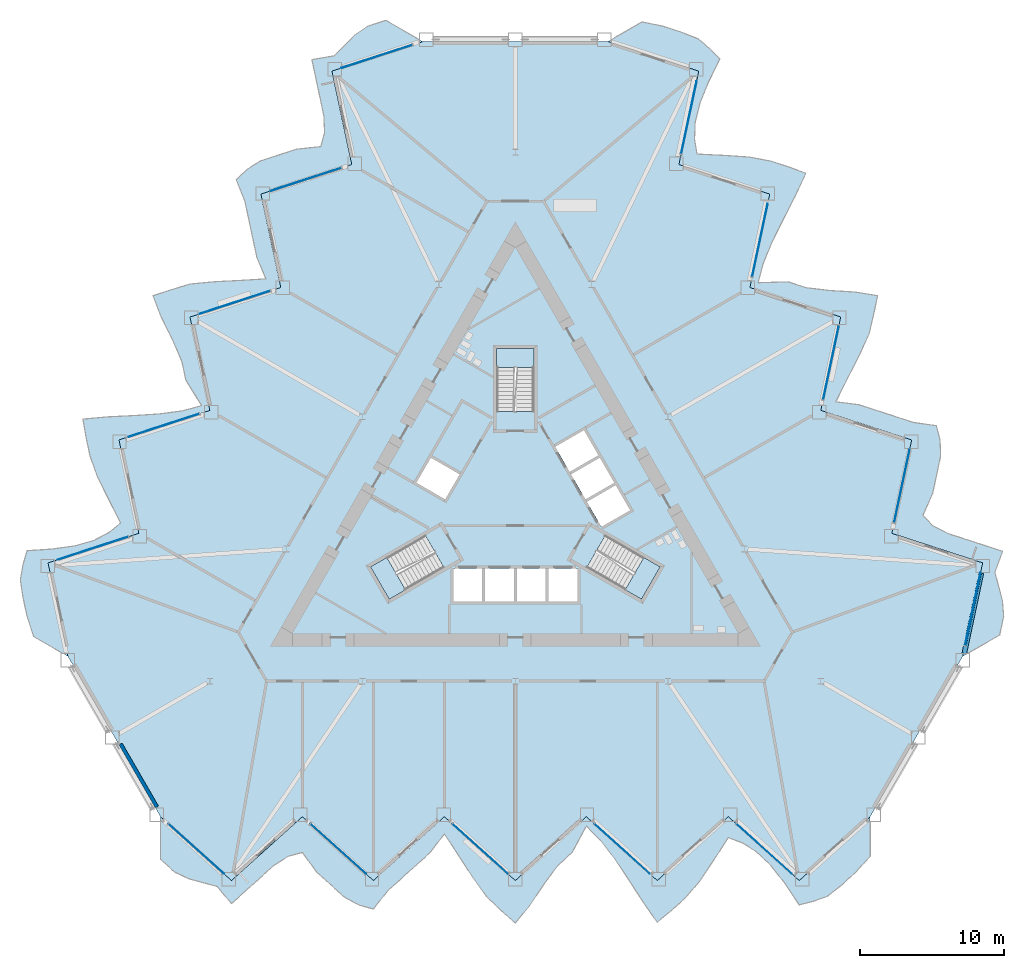
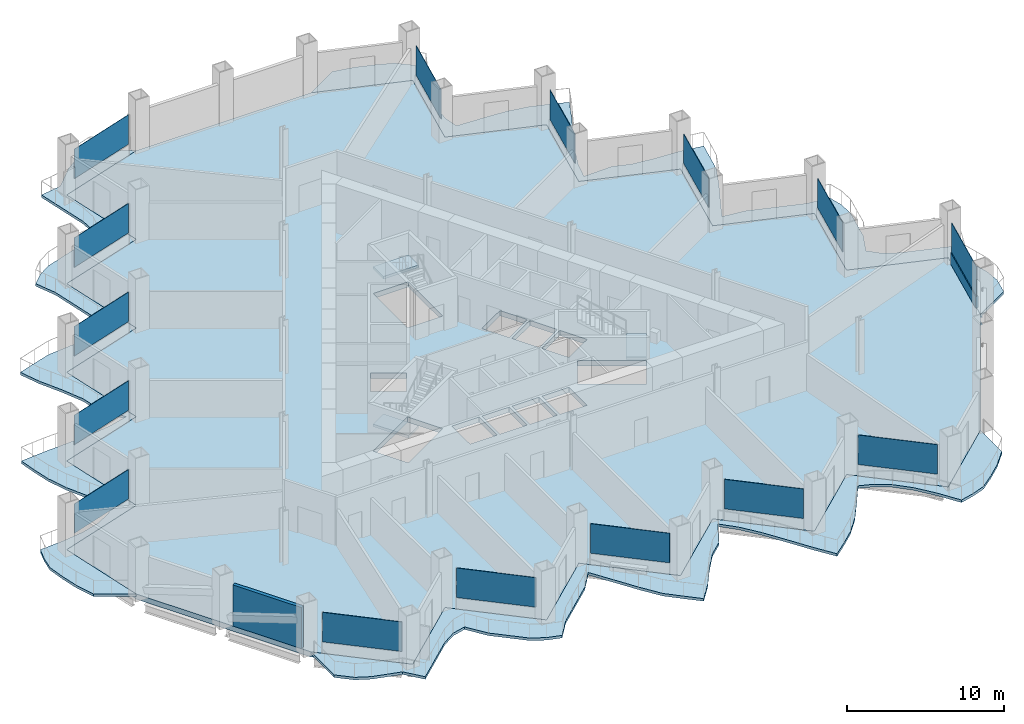
# One storey, part 8 of 21: 15 plates, 7 slabs, 1 beam, 1 member, 1 wall, 18 elements without a shape of their own.
"""IFC4 building model written with IfcOpenShell, lengths in metres."""

from ifc_helpers import new_model, si_unit, direction, frame, frame_2d, origin, origin_2d, place, context, subcontext, project, spatial, polyline, rectangle, i_section, outline, extrude, material, layer, layer_set, material_profile, profile_set, type_object, element, aggregate, save


model = new_model("IFC4")

# Units and contexts
model_context = context("Model", 3, precision=1e-05, world=origin(), true_north=direction((0.0, 1.0)))
body_context = subcontext(model_context, "Body", "Model", "MODEL_VIEW")
ifc_project = project(units=[si_unit("LENGTHUNIT", "METRE"), si_unit("AREAUNIT", "SQUARE_METRE"), si_unit("VOLUMEUNIT", "CUBIC_METRE"), si_unit("PLANEANGLEUNIT", "RADIAN"), si_unit("MASSUNIT", "GRAM", prefix="KILO")], contexts=[model_context])

# Site, building, storey
site_placement = place(None, origin())
site = spatial("IfcSite", under=ifc_project, at=site_placement, CompositionType="ELEMENT")
building_placement = place(site_placement, origin())
building = spatial("IfcBuilding", under=site, at=building_placement, Name="Cormorant Prow Tower", CompositionType="ELEMENT")
storey_placement = place(building_placement, frame((0.0, 0.0, 67.800048828125)))
storey = spatial("IfcBuildingStorey", under=building, at=storey_placement, Name="L14", CompositionType="ELEMENT", Elevation=67.800048828125)

# Curtain wall, member
ifc_material_1 = material(Name="Aluminium 6063-T6", Category="aluminium")
ifc_layer_1 = layer(ifc_material_1, 0.199951171875)
ifc_layer_set_1 = layer_set([ifc_layer_1], Name="Aluminium 6063-T6")
curtain_wall_type = type_object("IfcCurtainWallType", Name="Office unitised curtain wall 200", PredefinedType="NOTDEFINED", material=ifc_layer_set_1)
curtain_wall_1_placement = place(storey_placement, origin())
curtain_wall_1 = element("IfcCurtainWall", 1, at=curtain_wall_1_placement, inside=storey, type_object=curtain_wall_type, Name="Office curtain wall ENE00", PredefinedType="NOTDEFINED")
ifc_material_2 = material(Name="Terracotta", Category="masonry")
ifc_material_profile_1 = material_profile(ifc_material_2, rectangle(XDim=0.159912109375, YDim=0.89990234375, at=origin_2d()), Name="Office terracotta spandrel rail 160x900")
ifc_profile_set_1 = profile_set([ifc_material_profile_1], Name="Terracotta")
member_type = type_object("IfcMemberType", Name="Office terracotta spandrel rail 160x900", PredefinedType="USERDEFINED", material=ifc_profile_set_1)
member_placement = place(storey_placement, frame((31.15869140625, -9.744384765625, 0.449951171875), z_axis=(0.207897305086, 0.978150658405, 0.0), x_axis=(-0.978150658405, 0.207897305086, 0.0)))
member = element("IfcMember", 2, at=member_placement, type_object=member_type, Name="Office spandrel rail ENE00", ObjectType="TRANSOM", PredefinedType="USERDEFINED", context=body_context, shape_type="SweptSolid", body=[
    extrude(rectangle(XDim=0.159912109375, YDim=0.89990234375, at=origin_2d()), origin(), (0.0, 0.0, 1.0), 5.150634765625),
])

# Beam
ifc_material_3 = material(Name="Structural steel ASTM A992 Gr 50", Category="steel")
ifc_material_profile_2 = material_profile(ifc_material_3, i_section(OverallWidth=0.32373046875, OverallDepth=0.611083984375, WebThickness=0.0126953125, FlangeThickness=0.01904296875, at=origin_2d()), Name="W24x104")
ifc_profile_set_2 = profile_set([ifc_material_profile_2], Name="Structural steel ASTM A992 Gr 50")
beam_type = type_object("IfcBeamType", Name="Spandrel beam W24x104", PredefinedType="SPANDREL", material=ifc_profile_set_2)
beam_placement = place(storey_placement, frame((31.10400390625, -10.28466796875, -0.70556640625), z_axis=(0.207900376723, 0.97815000555, 0.0), x_axis=(-0.97815000555, 0.207900376723, 0.0)))
element("IfcBeam", 3, at=beam_placement, inside=storey, type_object=beam_type, Name="Spandrel beam SB1 ENE00-ENE01 L14", PredefinedType="SPANDREL", context=body_context, shape_type="SweptSolid", body=[
    extrude(i_section(OverallWidth=0.32373046875, OverallDepth=0.611083984375, WebThickness=0.0126953125, FlangeThickness=0.01904296875, at=origin_2d()), origin(), (0.0, 0.0, 1.0), 5.6826171875),
])

# Slabs
ifc_material_4 = material(Name="Concrete C40/50", Category="concrete")
ifc_layer_2 = layer(ifc_material_4, 0.199951171875)
ifc_layer_set_2 = layer_set([ifc_layer_2], Name="Concrete C40/50")
slab_type_1 = type_object("IfcSlabType", Name="Balcony slab 200", PredefinedType="FLOOR", material=ifc_layer_set_2)
slab_1_placement = place(storey_placement, frame((0.0, 0.0, -0.199951171875)))
element("IfcSlab", 4, at=slab_1_placement, inside=storey, type_object=slab_type_1, Name="Balcony slab S L14", PredefinedType="FLOOR", context=body_context, shape_type="SweptSolid", body=[
    extrude(outline(polyline([(-24.585205078125, -21.6015625), (-24.585205078125, -24.551513671875), (-23.601806640625, -25.43701171875), (-22.618408203125, -25.906005859375), (-21.635009765625, -26.172607421875), (-20.651611328125, -26.435546875), (-19.668212890625, -27.62890625), (-18.684814453125, -26.743408203125), (-17.701416015625, -25.85791015625), (-16.7177734375, -24.972412109375), (-15.734375, -24.342529296875), (-14.7509765625, -24.083251953125), (-13.767578125, -25.43701171875), (-12.7841796875, -26.322509765625), (-11.80078125, -27.207763671875), (-10.8173828125, -27.72705078125), (-9.833984375, -28.002685546875), (-8.8505859375, -26.743408203125), (-7.8671875, -25.85791015625), (-6.8837890625, -24.972412109375), (-5.900390625, -24.0869140625), (-4.9169921875, -22.793212890625), (-3.93359375, -24.28369140625), (-2.9501953125, -25.80126953125), (-1.966796875, -27.179443359375), (-0.9833984375, -28.09326171875), (0.0, -28.978759765625), (0.9833984375, -27.775634765625), (1.966796875, -26.29052734375), (2.9501953125, -24.972412109375), (3.93359375, -24.0869140625), (4.9169921875, -22.26025390625), (5.900390625, -23.236328125), (6.8837890625, -24.516357421875), (7.8671875, -25.995849609375), (8.8505859375, -27.51806640625), (9.833984375, -28.9150390625), (10.8173828125, -28.09326171875), (11.80078125, -27.207763671875), (12.7841796875, -26.0517578125), (13.767578125, -24.578125), (14.7509765625, -23.05419921875), (15.734375, -23.4189453125), (16.7177734375, -24.03955078125), (17.701416015625, -24.9853515625), (18.684814453125, -26.240966796875), (19.668212890625, -27.70849609375), (20.651611328125, -27.463134765625), (21.635009765625, -27.10693359375), (22.618408203125, -26.322509765625), (23.601806640625, -25.43701171875), (24.585205078125, -24.326171875), (24.585205078125, -21.6015625), (23.601806640625, -22.487060546875), (22.618408203125, -23.372314453125), (21.635009765625, -24.2578125), (20.651611328125, -25.143310546875), (19.668212890625, -26.02880859375), (18.684814453125, -25.143310546875), (17.701416015625, -24.2578125), (16.7177734375, -23.372314453125), (15.734375, -22.487060546875), (14.7509765625, -21.6015625), (13.767578125, -22.487060546875), (12.7841796875, -23.372314453125), (11.80078125, -24.2578125), (10.8173828125, -25.143310546875), (9.833984375, -26.02880859375), (8.8505859375, -25.143310546875), (7.8671875, -24.2578125), (6.8837890625, -23.372314453125), (5.900390625, -22.487060546875), (4.9169921875, -21.6015625), (3.93359375, -22.487060546875), (2.9501953125, -23.372314453125), (1.966796875, -24.2578125), (0.9833984375, -25.143310546875), (0.0, -26.02880859375), (-0.9833984375, -25.143310546875), (-1.966796875, -24.2578125), (-2.9501953125, -23.372314453125), (-3.93359375, -22.487060546875), (-4.9169921875, -21.6015625), (-5.900390625, -22.487060546875), (-6.8837890625, -23.372314453125), (-7.8671875, -24.2578125), (-8.8505859375, -25.143310546875), (-9.833984375, -26.02880859375), (-10.8173828125, -25.143310546875), (-11.80078125, -24.2578125), (-12.7841796875, -23.372314453125), (-13.767578125, -22.487060546875), (-14.7509765625, -21.6015625), (-15.734375, -22.487060546875), (-16.7177734375, -23.372314453125), (-17.701416015625, -24.2578125), (-18.684814453125, -25.143310546875), (-19.668212890625, -26.02880859375), (-20.651611328125, -25.143310546875), (-21.635009765625, -24.2578125), (-22.618408203125, -23.372314453125), (-23.601806640625, -22.487060546875), (-24.585205078125, -21.6015625)])), origin(), (0.0, 0.0, 1.0), 0.199951171875),
])
slab_2_placement = place(storey_placement, frame((0.0, 0.0, -0.199951171875)))
element("IfcSlab", 5, at=slab_2_placement, inside=storey, type_object=slab_type_1, Name="Balcony slab ENE L14", PredefinedType="FLOOR", context=body_context, shape_type="SweptSolid", body=[
    extrude(outline(polyline([(31.0, -10.49072265625), (33.5546875, -9.015625), (33.829833984375, -7.72119140625), (33.744384765625, -6.635009765625), (33.483642578125, -5.650146484375), (33.219482421875, -4.6669921875), (33.76123046875, -3.21875), (32.502685546875, -2.809814453125), (31.244140625, -2.40087890625), (29.985595703125, -1.991943359375), (28.948486328125, -1.455078125), (28.232421875, -0.733154296875), (28.912841796875, 0.79541015625), (29.18798828125, 2.089599609375), (29.463134765625, 3.384033203125), (29.421142578125, 4.495361328125), (29.16796875, 5.48486328125), (27.585693359375, 5.706787109375), (26.3271484375, 6.11572265625), (25.068603515625, 6.524658203125), (23.81005859375, 6.93359375), (22.197998046875, 7.138427734375), (22.9970703125, 8.735107421875), (23.81982421875, 10.345703125), (24.521484375, 11.886474609375), (24.8212890625, 13.195068359375), (25.096435546875, 14.489501953125), (23.562744140625, 14.739501953125), (21.784912109375, 14.8486328125), (20.151611328125, 15.041259765625), (18.89306640625, 15.4501953125), (16.8193359375, 15.388427734375), (17.173095703125, 16.72802734375), (17.789794921875, 18.2197265625), (18.579345703125, 19.81103515625), (19.406005859375, 21.424072265625), (20.124267578125, 22.97412109375), (18.9208984375, 23.414794921875), (17.662353515625, 23.82373046875), (16.16943359375, 24.097412109375), (14.401611328125, 24.212158203125), (12.58984375, 24.3017578125), (12.414306640625, 25.3359375), (12.4599609375, 26.497802734375), (12.787353515625, 27.822509765625), (13.383056640625, 29.302001953125), (14.162109375, 30.88720703125), (13.4580078125, 31.6162109375), (12.65771484375, 32.289794921875), (11.48681640625, 32.749267578125), (10.228271484375, 33.158203125), (8.774658203125, 33.45458984375), (6.414794921875, 32.092041015625), (7.67333984375, 31.68310546875), (8.931884765625, 31.274169921875), (10.1904296875, 30.865234375), (11.448974609375, 30.456298828125), (12.70751953125, 30.04736328125), (12.432373046875, 28.753173828125), (12.1572265625, 27.458740234375), (11.882080078125, 26.164306640625), (11.60693359375, 24.869873046875), (11.331787109375, 23.575439453125), (12.59033203125, 23.166748046875), (13.848876953125, 22.7578125), (15.107421875, 22.348876953125), (16.365966796875, 21.93994140625), (17.62451171875, 21.531005859375), (17.349365234375, 20.236572265625), (17.07421875, 18.942138671875), (16.799072265625, 17.647705078125), (16.52392578125, 16.353515625), (16.2490234375, 15.05908203125), (17.507568359375, 14.650146484375), (18.765869140625, 14.2412109375), (20.0244140625, 13.832275390625), (21.282958984375, 13.42333984375), (22.54150390625, 13.014404296875), (22.266357421875, 11.719970703125), (21.991455078125, 10.425537109375), (21.71630859375, 9.13134765625), (21.441162109375, 7.8369140625), (21.166015625, 6.54248046875), (22.424560546875, 6.133544921875), (23.68310546875, 5.724609375), (24.941650390625, 5.315673828125), (26.2001953125, 4.90673828125), (27.458740234375, 4.497802734375), (27.18359375, 3.203369140625), (26.908447265625, 1.9091796875), (26.63330078125, 0.61474609375), (26.358154296875, -0.6796875), (26.0830078125, -1.97412109375), (27.341552734375, -2.383056640625), (28.60009765625, -2.7919921875), (29.858642578125, -3.200927734375), (31.1171875, -3.60986328125), (32.375732421875, -4.018798828125), (32.1005859375, -5.31298828125), (31.825439453125, -6.607421875), (31.55029296875, -7.90185546875), (31.275146484375, -9.1962890625), (31.0, -10.49072265625)])), origin(), (0.0, 0.0, 1.0), 0.199951171875),
])
slab_3_placement = place(storey_placement, frame((0.0, 0.0, -0.199951171875)))
element("IfcSlab", 6, at=slab_3_placement, inside=storey, type_object=slab_type_1, Name="Balcony slab WNW L14", PredefinedType="FLOOR", context=body_context, shape_type="SweptSolid", body=[
    extrude(outline(polyline([(-6.414794921875, 32.092041015625), (-8.9697265625, 33.567138671875), (-10.228271484375, 33.158203125), (-11.1259765625, 32.541015625), (-11.8486328125, 31.82275390625), (-12.568115234375, 31.1025390625), (-14.09326171875, 30.847412109375), (-13.818115234375, 29.552978515625), (-13.54296875, 28.2587890625), (-13.267822265625, 26.96435546875), (-13.214111328125, 25.7978515625), (-13.481201171875, 24.81640625), (-15.145263671875, 24.6416015625), (-16.40380859375, 24.232666015625), (-17.662353515625, 23.82373046875), (-18.603515625, 23.231689453125), (-19.333984375, 22.517822265625), (-18.735107421875, 21.03662109375), (-18.4599609375, 19.7421875), (-18.184814453125, 18.44775390625), (-17.90966796875, 17.1533203125), (-17.281005859375, 15.65478515625), (-19.0634765625, 15.54833984375), (-20.86962890625, 15.45556640625), (-22.5546875, 15.29296875), (-23.837890625, 14.8984375), (-25.096435546875, 14.489501953125), (-24.546142578125, 13.0361328125), (-23.751708984375, 11.44189453125), (-23.101806640625, 9.93115234375), (-22.82666015625, 8.636962890625), (-21.736328125, 6.871826171875), (-23.073486328125, 6.50830078125), (-24.673583984375, 6.296630859375), (-26.44677734375, 6.1845703125), (-28.2568359375, 6.09423828125), (-29.958251953125, 5.94091796875), (-29.73828125, 4.678466796875), (-29.463134765625, 3.384033203125), (-28.95361328125, 1.954345703125), (-28.169189453125, 0.365966796875), (-27.341064453125, -1.247802734375), (-28.148681640625, -1.9169921875), (-29.177734375, -2.45849609375), (-30.48876953125, -2.837158203125), (-32.067626953125, -3.06103515625), (-33.830322265625, -3.178955078125), (-34.109375, -4.1533203125), (-34.292724609375, -5.182861328125), (-34.10498046875, -6.4267578125), (-33.829833984375, -7.72119140625), (-33.359619140625, -9.128173828125), (-31.0, -10.49072265625), (-31.275146484375, -9.1962890625), (-31.55029296875, -7.90185546875), (-31.825439453125, -6.607421875), (-32.1005859375, -5.31298828125), (-32.375732421875, -4.018798828125), (-31.1171875, -3.60986328125), (-29.858642578125, -3.200927734375), (-28.60009765625, -2.7919921875), (-27.341552734375, -2.383056640625), (-26.0830078125, -1.97412109375), (-26.358154296875, -0.6796875), (-26.63330078125, 0.61474609375), (-26.908447265625, 1.9091796875), (-27.18359375, 3.203369140625), (-27.458740234375, 4.497802734375), (-26.2001953125, 4.90673828125), (-24.941650390625, 5.315673828125), (-23.68310546875, 5.724609375), (-22.424560546875, 6.133544921875), (-21.166015625, 6.54248046875), (-21.441162109375, 7.8369140625), (-21.71630859375, 9.13134765625), (-21.991455078125, 10.425537109375), (-22.266357421875, 11.719970703125), (-22.54150390625, 13.014404296875), (-21.282958984375, 13.42333984375), (-20.0244140625, 13.832275390625), (-18.765869140625, 14.2412109375), (-17.507568359375, 14.650146484375), (-16.2490234375, 15.05908203125), (-16.52392578125, 16.353515625), (-16.799072265625, 17.647705078125), (-17.07421875, 18.942138671875), (-17.349365234375, 20.236572265625), (-17.62451171875, 21.531005859375), (-16.365966796875, 21.93994140625), (-15.107421875, 22.348876953125), (-13.848876953125, 22.7578125), (-12.59033203125, 23.166748046875), (-11.331787109375, 23.575439453125), (-11.60693359375, 24.869873046875), (-11.882080078125, 26.164306640625), (-12.1572265625, 27.458740234375), (-12.432373046875, 28.753173828125), (-12.70751953125, 30.04736328125), (-11.448974609375, 30.456298828125), (-10.1904296875, 30.865234375), (-8.931884765625, 31.274169921875), (-7.67333984375, 31.68310546875), (-6.414794921875, 32.092041015625)])), origin(), (0.0, 0.0, 1.0), 0.199951171875),
])

# Curtain wall, plate
curtain_wall_2_placement = place(storey_placement, origin())
curtain_wall_2 = element("IfcCurtainWall", 7, at=curtain_wall_2_placement, inside=storey, type_object=curtain_wall_type, Name="Office curtain wall S00", PredefinedType="NOTDEFINED")
ifc_material_5 = material(Name="Clear glass", Category="glass")
ifc_layer_3 = layer(ifc_material_5, 0.031982421875)
ifc_layer_set_3 = layer_set([ifc_layer_3], Name="Clear glass")
plate_type = type_object("IfcPlateType", Name="Office glass panel 32", PredefinedType="CURTAIN_PANEL", material=ifc_layer_set_3)
plate_1_placement = place(storey_placement, frame((-22.104248046875, -23.835205078125, 0.89990234375), z_axis=(0.0, 0.0, 1.0), x_axis=(0.743144817746, -0.669130614945, 0.0)))
plate_1 = element("IfcPlate", 8, at=plate_1_placement, type_object=plate_type, Name="Office glass panel S00", PredefinedType="CURTAIN_PANEL", context=body_context, shape_type="SweptSolid", body=[
    extrude(rectangle(XDim=5.150634765625, YDim=0.031982421875, at=origin_2d()), origin(), (0.0, 0.0, 1.0), 2.288818359375),
])
aggregate(curtain_wall_2, [plate_1])

curtain_wall_3_placement = place(storey_placement, origin())
curtain_wall_3 = element("IfcCurtainWall", 9, at=curtain_wall_3_placement, inside=storey, type_object=curtain_wall_type, Name="Office curtain wall S02", PredefinedType="NOTDEFINED")
plate_2_placement = place(storey_placement, frame((-12.270263671875, -23.835205078125, 0.89990234375), z_axis=(0.0, 0.0, 1.0), x_axis=(0.743144817746, -0.669130614945, 0.0)))
plate_2 = element("IfcPlate", 10, at=plate_2_placement, type_object=plate_type, Name="Office glass panel S02", PredefinedType="CURTAIN_PANEL", context=body_context, shape_type="SweptSolid", body=[
    extrude(rectangle(XDim=5.150634765625, YDim=0.031982421875, at=origin_2d()), origin(), (0.0, 0.0, 1.0), 2.288818359375),
])
aggregate(curtain_wall_3, [plate_2])

curtain_wall_4_placement = place(storey_placement, origin())
curtain_wall_4 = element("IfcCurtainWall", 11, at=curtain_wall_4_placement, inside=storey, type_object=curtain_wall_type, Name="Office curtain wall S04", PredefinedType="NOTDEFINED")
plate_3_placement = place(storey_placement, frame((-2.436279296875, -23.835205078125, 0.89990234375), z_axis=(0.0, 0.0, 1.0), x_axis=(0.743144817746, -0.669130614945, 0.0)))
plate_3 = element("IfcPlate", 12, at=plate_3_placement, type_object=plate_type, Name="Office glass panel S04", PredefinedType="CURTAIN_PANEL", context=body_context, shape_type="SweptSolid", body=[
    extrude(rectangle(XDim=5.150634765625, YDim=0.031982421875, at=origin_2d()), origin(), (0.0, 0.0, 1.0), 2.288818359375),
])
aggregate(curtain_wall_4, [plate_3])

curtain_wall_5_placement = place(storey_placement, origin())
curtain_wall_5 = element("IfcCurtainWall", 13, at=curtain_wall_5_placement, inside=storey, type_object=curtain_wall_type, Name="Office curtain wall S06", PredefinedType="NOTDEFINED")
plate_4_placement = place(storey_placement, frame((7.39794921875, -23.835205078125, 0.89990234375), z_axis=(0.0, 0.0, 1.0), x_axis=(0.743144817746, -0.669130614945, 0.0)))
plate_4 = element("IfcPlate", 14, at=plate_4_placement, type_object=plate_type, Name="Office glass panel S06", PredefinedType="CURTAIN_PANEL", context=body_context, shape_type="SweptSolid", body=[
    extrude(rectangle(XDim=5.150634765625, YDim=0.031982421875, at=origin_2d()), origin(), (0.0, 0.0, 1.0), 2.288818359375),
])
aggregate(curtain_wall_5, [plate_4])

curtain_wall_6_placement = place(storey_placement, origin())
curtain_wall_6 = element("IfcCurtainWall", 15, at=curtain_wall_6_placement, inside=storey, type_object=curtain_wall_type, Name="Office curtain wall S08", PredefinedType="NOTDEFINED")
plate_5_placement = place(storey_placement, frame((17.23193359375, -23.835205078125, 0.89990234375), z_axis=(0.0, 0.0, 1.0), x_axis=(0.743144817746, -0.669130614945, 0.0)))
plate_5 = element("IfcPlate", 16, at=plate_5_placement, type_object=plate_type, Name="Office glass panel S08", PredefinedType="CURTAIN_PANEL", context=body_context, shape_type="SweptSolid", body=[
    extrude(rectangle(XDim=5.150634765625, YDim=0.031982421875, at=origin_2d()), origin(), (0.0, 0.0, 1.0), 2.288818359375),
])
aggregate(curtain_wall_6, [plate_5])

# Plate
plate_6_placement = place(storey_placement, frame((31.694091796875, -7.225341796875, 0.89990234375), z_axis=(0.0, 0.0, 1.0), x_axis=(0.20791175581, 0.978147586919, 0.0)))
plate_6 = element("IfcPlate", 17, at=plate_6_placement, type_object=plate_type, Name="Office glass panel ENE00", PredefinedType="CURTAIN_PANEL", context=body_context, shape_type="SweptSolid", body=[
    extrude(rectangle(XDim=5.150634765625, YDim=0.031982421875, at=origin_2d()), origin(), (0.0, 0.0, 1.0), 2.288818359375),
])

aggregate(curtain_wall_1, [member, plate_6])

# Curtain wall, plate
curtain_wall_7_placement = place(storey_placement, origin())
curtain_wall_7 = element("IfcCurtainWall", 18, at=curtain_wall_7_placement, inside=storey, type_object=curtain_wall_type, Name="Office curtain wall ENE02", PredefinedType="NOTDEFINED")
plate_7_placement = place(storey_placement, frame((26.777099609375, 1.291259765625, 0.89990234375), z_axis=(0.0, 0.0, 1.0), x_axis=(0.20791175581, 0.978147586919, 0.0)))
plate_7 = element("IfcPlate", 19, at=plate_7_placement, type_object=plate_type, Name="Office glass panel ENE02", PredefinedType="CURTAIN_PANEL", context=body_context, shape_type="SweptSolid", body=[
    extrude(rectangle(XDim=5.150634765625, YDim=0.031982421875, at=origin_2d()), origin(), (0.0, 0.0, 1.0), 2.288818359375),
])
aggregate(curtain_wall_7, [plate_7])

curtain_wall_8_placement = place(storey_placement, origin())
curtain_wall_8 = element("IfcCurtainWall", 20, at=curtain_wall_8_placement, inside=storey, type_object=curtain_wall_type, Name="Office curtain wall ENE04", PredefinedType="NOTDEFINED")
plate_8_placement = place(storey_placement, frame((21.860107421875, 9.807861328125, 0.89990234375), z_axis=(0.0, 0.0, 1.0), x_axis=(0.20791175581, 0.978147586919, 0.0)))
plate_8 = element("IfcPlate", 21, at=plate_8_placement, type_object=plate_type, Name="Office glass panel ENE04", PredefinedType="CURTAIN_PANEL", context=body_context, shape_type="SweptSolid", body=[
    extrude(rectangle(XDim=5.150634765625, YDim=0.031982421875, at=origin_2d()), origin(), (0.0, 0.0, 1.0), 2.288818359375),
])
aggregate(curtain_wall_8, [plate_8])

curtain_wall_9_placement = place(storey_placement, origin())
curtain_wall_9 = element("IfcCurtainWall", 22, at=curtain_wall_9_placement, inside=storey, type_object=curtain_wall_type, Name="Office curtain wall ENE06", PredefinedType="NOTDEFINED")
plate_9_placement = place(storey_placement, frame((16.94287109375, 18.32421875, 0.89990234375), z_axis=(0.0, 0.0, 1.0), x_axis=(0.20791175581, 0.978147586919, 0.0)))
plate_9 = element("IfcPlate", 23, at=plate_9_placement, type_object=plate_type, Name="Office glass panel ENE06", PredefinedType="CURTAIN_PANEL", context=body_context, shape_type="SweptSolid", body=[
    extrude(rectangle(XDim=5.150634765625, YDim=0.031982421875, at=origin_2d()), origin(), (0.0, 0.0, 1.0), 2.288818359375),
])
aggregate(curtain_wall_9, [plate_9])

curtain_wall_10_placement = place(storey_placement, origin())
curtain_wall_10 = element("IfcCurtainWall", 24, at=curtain_wall_10_placement, inside=storey, type_object=curtain_wall_type, Name="Office curtain wall ENE08", PredefinedType="NOTDEFINED")
plate_10_placement = place(storey_placement, frame((12.02587890625, 26.8408203125, 0.89990234375), z_axis=(0.0, 0.0, 1.0), x_axis=(0.20791175581, 0.978147586919, 0.0)))
plate_10 = element("IfcPlate", 25, at=plate_10_placement, type_object=plate_type, Name="Office glass panel ENE08", PredefinedType="CURTAIN_PANEL", context=body_context, shape_type="SweptSolid", body=[
    extrude(rectangle(XDim=5.150634765625, YDim=0.031982421875, at=origin_2d()), origin(), (0.0, 0.0, 1.0), 2.288818359375),
])
aggregate(curtain_wall_10, [plate_10])

curtain_wall_11_placement = place(storey_placement, origin())
curtain_wall_11 = element("IfcCurtainWall", 26, at=curtain_wall_11_placement, inside=storey, type_object=curtain_wall_type, Name="Office curtain wall WNW00", PredefinedType="NOTDEFINED")
plate_11_placement = place(storey_placement, frame((-9.58984375, 31.060546875, 0.89990234375), z_axis=(0.0, 0.0, 1.0), x_axis=(-0.951056531806, -0.309016946636, 0.0)))
plate_11 = element("IfcPlate", 27, at=plate_11_placement, type_object=plate_type, Name="Office glass panel WNW00", PredefinedType="CURTAIN_PANEL", context=body_context, shape_type="SweptSolid", body=[
    extrude(rectangle(XDim=5.150634765625, YDim=0.031982421875, at=origin_2d()), origin(), (0.0, 0.0, 1.0), 2.288818359375),
])
aggregate(curtain_wall_11, [plate_11])

curtain_wall_12_placement = place(storey_placement, origin())
curtain_wall_12 = element("IfcCurtainWall", 28, at=curtain_wall_12_placement, inside=storey, type_object=curtain_wall_type, Name="Office curtain wall WNW02", PredefinedType="NOTDEFINED")
plate_12_placement = place(storey_placement, frame((-14.5068359375, 22.5439453125, 0.89990234375), z_axis=(0.0, 0.0, 1.0), x_axis=(-0.951056531806, -0.309016946636, 0.0)))
plate_12 = element("IfcPlate", 29, at=plate_12_placement, type_object=plate_type, Name="Office glass panel WNW02", PredefinedType="CURTAIN_PANEL", context=body_context, shape_type="SweptSolid", body=[
    extrude(rectangle(XDim=5.150634765625, YDim=0.031982421875, at=origin_2d()), origin(), (0.0, 0.0, 1.0), 2.288818359375),
])
aggregate(curtain_wall_12, [plate_12])

curtain_wall_13_placement = place(storey_placement, origin())
curtain_wall_13 = element("IfcCurtainWall", 30, at=curtain_wall_13_placement, inside=storey, type_object=curtain_wall_type, Name="Office curtain wall WNW04", PredefinedType="NOTDEFINED")
plate_13_placement = place(storey_placement, frame((-19.423828125, 14.02734375, 0.89990234375), z_axis=(0.0, 0.0, 1.0), x_axis=(-0.951056531806, -0.309016946636, 0.0)))
plate_13 = element("IfcPlate", 31, at=plate_13_placement, type_object=plate_type, Name="Office glass panel WNW04", PredefinedType="CURTAIN_PANEL", context=body_context, shape_type="SweptSolid", body=[
    extrude(rectangle(XDim=5.150634765625, YDim=0.031982421875, at=origin_2d()), origin(), (0.0, 0.0, 1.0), 2.288818359375),
])
aggregate(curtain_wall_13, [plate_13])

curtain_wall_14_placement = place(storey_placement, origin())
curtain_wall_14 = element("IfcCurtainWall", 32, at=curtain_wall_14_placement, inside=storey, type_object=curtain_wall_type, Name="Office curtain wall WNW06", PredefinedType="NOTDEFINED")
plate_14_placement = place(storey_placement, frame((-24.3408203125, 5.510986328125, 0.89990234375), z_axis=(0.0, 0.0, 1.0), x_axis=(-0.951056531806, -0.309016946636, 0.0)))
plate_14 = element("IfcPlate", 33, at=plate_14_placement, type_object=plate_type, Name="Office glass panel WNW06", PredefinedType="CURTAIN_PANEL", context=body_context, shape_type="SweptSolid", body=[
    extrude(rectangle(XDim=5.150634765625, YDim=0.031982421875, at=origin_2d()), origin(), (0.0, 0.0, 1.0), 2.288818359375),
])
aggregate(curtain_wall_14, [plate_14])

curtain_wall_15_placement = place(storey_placement, origin())
curtain_wall_15 = element("IfcCurtainWall", 34, at=curtain_wall_15_placement, inside=storey, type_object=curtain_wall_type, Name="Office curtain wall WNW08", PredefinedType="NOTDEFINED")
plate_15_placement = place(storey_placement, frame((-29.2578125, -3.005615234375, 0.89990234375), z_axis=(0.0, 0.0, 1.0), x_axis=(-0.951056531806, -0.309016946636, 0.0)))
plate_15 = element("IfcPlate", 35, at=plate_15_placement, type_object=plate_type, Name="Office glass panel WNW08", PredefinedType="CURTAIN_PANEL", context=body_context, shape_type="SweptSolid", body=[
    extrude(rectangle(XDim=5.150634765625, YDim=0.031982421875, at=origin_2d()), origin(), (0.0, 0.0, 1.0), 2.288818359375),
])
aggregate(curtain_wall_15, [plate_15])

# Slab
ifc_material_6 = material(Name="Concrete C40/50", Category="concrete")
ifc_layer_4 = layer(ifc_material_6, 0.39990234375)
ifc_layer_set_4 = layer_set([ifc_layer_4], Name="Concrete C40/50")
slab_type_2 = type_object("IfcSlabType", Name="Post-tensioned flat slab 400", PredefinedType="FLOOR", material=ifc_layer_set_4)
slab_4_placement = place(storey_placement, frame((0.0, 0.0, -0.400146484375)))
element("IfcSlab", 36, at=slab_4_placement, inside=storey, type_object=slab_type_2, Name="Floor slab L14", PredefinedType="FLOOR", context=body_context, shape_type="SweptSolid", body=[
    extrude(outline(polyline([(-12.70751953125, 30.04736328125), (-11.331787109375, 23.575439453125), (-17.62451171875, 21.531005859375), (-16.2490234375, 15.05908203125), (-22.54150390625, 13.014404296875), (-21.166015625, 6.54248046875), (-27.458740234375, 4.497802734375), (-26.0830078125, -1.97412109375), (-32.375732421875, -4.018798828125), (-31.0, -10.49072265625), (-27.79248046875, -16.046142578125), (-24.585205078125, -21.6015625), (-19.668212890625, -26.02880859375), (-14.7509765625, -21.6015625), (-9.833984375, -26.02880859375), (-4.9169921875, -21.6015625), (0.0, -26.02880859375), (4.9169921875, -21.6015625), (9.833984375, -26.02880859375), (14.7509765625, -21.6015625), (19.668212890625, -26.02880859375), (24.585205078125, -21.6015625), (27.79248046875, -16.046142578125), (31.0, -10.49072265625), (32.375732421875, -4.018798828125), (26.0830078125, -1.97412109375), (27.458740234375, 4.497802734375), (21.166015625, 6.54248046875), (22.54150390625, 13.014404296875), (16.2490234375, 15.05908203125), (17.62451171875, 21.531005859375), (11.331787109375, 23.575439453125), (12.70751953125, 30.04736328125), (6.414794921875, 32.092041015625), (0.0, 32.092041015625), (-6.414794921875, 32.092041015625), (-12.70751953125, 30.04736328125)]), holes=[polyline([(-4.300048828125, -6.699951171875), (-4.300048828125, -4.39990234375), (-2.300048828125, -4.39990234375), (-2.300048828125, -6.699951171875), (-4.300048828125, -6.699951171875)]), polyline([(-2.10009765625, -4.39990234375), (-0.10009765625, -4.39990234375), (-0.10009765625, -6.699951171875), (-2.10009765625, -6.699951171875), (-2.10009765625, -4.39990234375)]), polyline([(2.10009765625, -4.39990234375), (2.10009765625, -6.699951171875), (0.10009765625, -6.699951171875), (0.10009765625, -4.39990234375), (2.10009765625, -4.39990234375)]), polyline([(4.300048828125, -6.699951171875), (2.300048828125, -6.699951171875), (2.300048828125, -4.39990234375), (4.300048828125, -4.39990234375), (4.300048828125, -6.699951171875)]), polyline([(7.952392578125, -0.373779296875), (5.96044921875, -1.52392578125), (4.96044921875, 0.2080078125), (6.952392578125, 1.358154296875), (7.952392578125, -0.373779296875)]), polyline([(4.860595703125, 0.38134765625), (3.860595703125, 2.11328125), (5.852294921875, 3.263427734375), (6.852294921875, 1.53125), (4.860595703125, 0.38134765625)]), polyline([(2.760498046875, 4.018798828125), (4.75244140625, 5.168701171875), (5.75244140625, 3.4365234375), (3.760498046875, 2.28662109375), (2.760498046875, 4.018798828125)]), polyline([(-6.852294921875, 1.53125), (-5.852294921875, 3.263427734375), (-3.860595703125, 2.11328125), (-4.860595703125, 0.38134765625), (-6.852294921875, 1.53125)]), polyline([(-4.947509765625, -4.3505859375), (-8.738037109375, -6.5390625), (-10.031982421875, -4.2978515625), (-6.241455078125, -2.109375), (-4.947509765625, -4.3505859375)]), polyline([(10.031982421875, -4.2978515625), (8.738037109375, -6.5390625), (4.947509765625, -4.3505859375), (6.241455078125, -2.109375), (10.031982421875, -4.2978515625)]), polyline([(1.2939453125, 10.8369140625), (1.2939453125, 6.459716796875), (-1.2939453125, 6.459716796875), (-1.2939453125, 10.8369140625), (1.2939453125, 10.8369140625)])]), origin(), (0.0, 0.0, 1.0), 0.400146484375),
])

# Stair, slab
ifc_material_7 = material(Name="Exit stair 24 risers")
stair_type = type_object("IfcStairType", Name="Exit stair 24 risers", PredefinedType="HALF_TURN_STAIR", material=ifc_material_7)
stair_1_placement = place(storey_placement, origin())
stair_1 = element("IfcStair", 37, at=stair_1_placement, inside=storey, type_object=stair_type, Name="L14 Exit stair ST1", PredefinedType="HALF_TURN_STAIR")
ifc_material_8 = material(Name="Concrete 5000 psi", Category="concrete")
ifc_layer_5 = layer(ifc_material_8, 0.199951171875)
ifc_layer_set_5 = layer_set([ifc_layer_5], Name="Concrete 5000 psi")
slab_type_3 = type_object("IfcSlabType", Name="Stair landing 200", PredefinedType="LANDING", material=ifc_layer_set_5)
slab_5_placement = place(storey_placement, frame((0.0, 0.0, 1.89990234375)))
slab_5 = element("IfcSlab", 38, at=slab_5_placement, type_object=slab_type_3, Name="ST1 landing 1", PredefinedType="LANDING", context=body_context, shape_type="SweptSolid", body=[
    extrude(outline(polyline([(-8.90185546875, -3.645263671875), (-10.031982421875, -4.2978515625), (-8.738037109375, -6.5390625), (-7.60791015625, -5.886474609375), (-8.90185546875, -3.645263671875)])), origin(), (0.0, 0.0, 1.0), 0.199951171875),
])
aggregate(stair_1, [slab_5])

stair_2_placement = place(storey_placement, origin())
stair_2 = element("IfcStair", 39, at=stair_2_placement, inside=storey, type_object=stair_type, Name="L14 Exit stair ST2", PredefinedType="HALF_TURN_STAIR")
slab_6_placement = place(storey_placement, frame((0.0, 0.0, 1.89990234375)))
slab_6 = element("IfcSlab", 40, at=slab_6_placement, type_object=slab_type_3, Name="ST2 landing 1", PredefinedType="LANDING", context=body_context, shape_type="SweptSolid", body=[
    extrude(outline(polyline([(7.60791015625, -5.886474609375), (8.738037109375, -6.5390625), (10.031982421875, -4.2978515625), (8.90185546875, -3.645263671875), (7.60791015625, -5.886474609375)])), origin(), (0.0, 0.0, 1.0), 0.199951171875),
])
aggregate(stair_2, [slab_6])

stair_3_placement = place(storey_placement, origin())
stair_3 = element("IfcStair", 41, at=stair_3_placement, inside=storey, type_object=stair_type, Name="L14 Exit stair ST3", PredefinedType="HALF_TURN_STAIR")
slab_7_placement = place(storey_placement, frame((0.0, 0.0, 1.89990234375)))
slab_7 = element("IfcSlab", 42, at=slab_7_placement, type_object=slab_type_3, Name="ST3 landing 1", PredefinedType="LANDING", context=body_context, shape_type="SweptSolid", body=[
    extrude(outline(polyline([(1.2939453125, 9.53173828125), (1.2939453125, 10.8369140625), (-1.2939453125, 10.8369140625), (-1.2939453125, 9.53173828125), (1.2939453125, 9.53173828125)])), origin(), (0.0, 0.0, 1.0), 0.199951171875),
])
aggregate(stair_3, [slab_7])

# Wall
ifc_material_9 = material(Name="Terracotta", Category="masonry")
ifc_layer_6 = layer(ifc_material_9, 0.25)
ifc_layer_set_6 = layer_set([ifc_layer_6], Name="Terracotta")
wall_type = type_object("IfcWallType", Name="Terracotta bay wall 250", PredefinedType="SOLIDWALL", material=ifc_layer_set_6)
wall_placement = place(storey_placement, frame((-27.34765625, -16.56689453125, 0.0), z_axis=(0.0, 0.0, 1.0), x_axis=(0.500021659459, -0.866012898329, 0.0)))
element("IfcWall", 43, at=wall_placement, inside=storey, type_object=wall_type, Name="Terracotta bay wall WSW01", PredefinedType="SOLIDWALL", context=body_context, shape_type="SweptSolid", body=[
    extrude(rectangle(XDim=5.038330078125, YDim=0.25, at=frame_2d((2.51904296875, 0.0))), origin(), (0.0, 0.0, 1.0), 3.18896484375),
])

save(model, "model.ifc")
